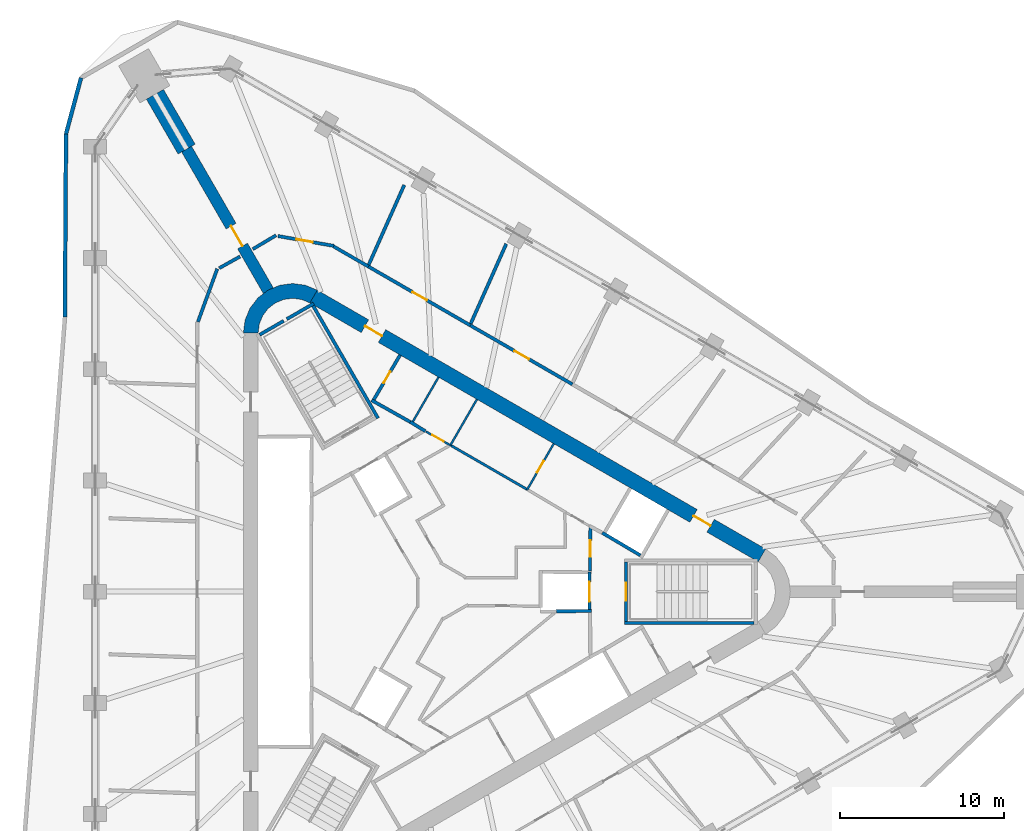
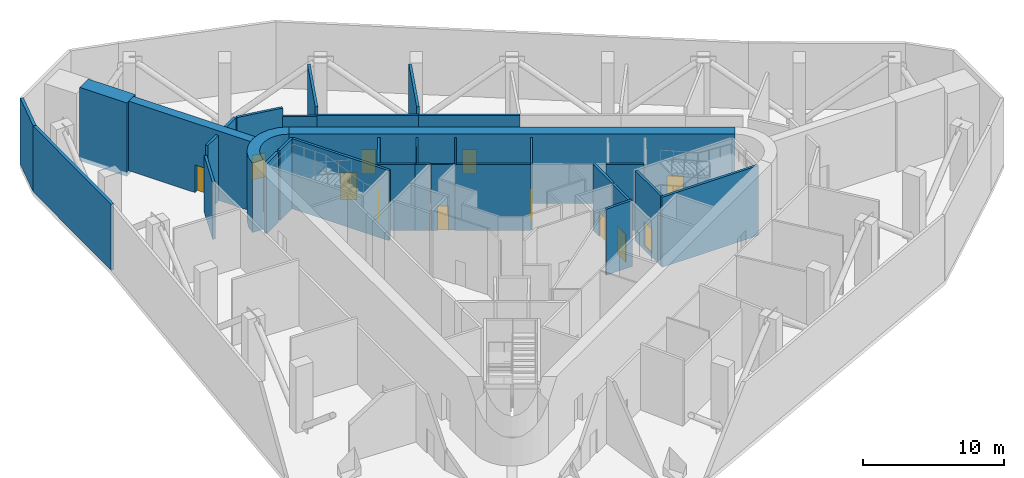
# One storey, part 6 of 12: 32 walls, 12 doors, 12 openings.
"""IFC4 building model written with IfcOpenShell, lengths in metres."""

from ifc_helpers import new_model, si_unit, direction, frame, frame_2d, origin, place, context, subcontext, project, spatial, polyline, rectangle, outline, extrude, material, layer, layer_set, type_object, element, fill, save


model = new_model("IFC4")

# Units and contexts
model_context = context("Model", 3, precision=1e-05, world=origin(), true_north=direction((0.0, 1.0)))
body_context = subcontext(model_context, "Body", "Model", "MODEL_VIEW")
ifc_project = project(units=[si_unit("LENGTHUNIT", "METRE"), si_unit("AREAUNIT", "SQUARE_METRE"), si_unit("VOLUMEUNIT", "CUBIC_METRE"), si_unit("PLANEANGLEUNIT", "RADIAN"), si_unit("MASSUNIT", "GRAM", prefix="KILO")], contexts=[model_context])

# Site, building, storey
site_placement = place(None, origin())
site = spatial("IfcSite", under=ifc_project, at=site_placement, CompositionType="ELEMENT")
building_placement = place(site_placement, origin())
building = spatial("IfcBuilding", under=site, at=building_placement, Name="Tanit Gate Tower", CompositionType="ELEMENT")
storey_placement = place(building_placement, frame((0.0, 0.0, 292.699951171875)))
storey = spatial("IfcBuildingStorey", under=building, at=storey_placement, Name="L65", CompositionType="ELEMENT", Elevation=292.699951171875)

# Wall, opening, door
ifc_material_1 = material(Name="Concrete C50/60", Category="concrete")
ifc_layer_1 = layer(ifc_material_1, 0.699951171875)
ifc_layer_set_1 = layer_set([ifc_layer_1], Name="BUTTRESS FIN 700 C50/60")
wall_type_1 = type_object("IfcWallType", Name="BUTTRESS FIN 700 C50/60", PredefinedType="SHEAR", material=ifc_layer_set_1)
wall_1_placement = place(storey_placement, frame((-10.574951171875, 18.31640625, 0.0), z_axis=(0.0, 0.0, 1.0), x_axis=(-0.500007350791, 0.866021159762, 0.0)))
wall_1 = element("IfcWall", 1, at=wall_1_placement, inside=storey, type_object=wall_type_1, Name="BUTTRESS FIN", PredefinedType="SHEAR", context=body_context, shape_type="SweptSolid", body=[
    extrude(rectangle(XDim=9.964599609375, YDim=0.699951171875, at=frame_2d((4.982421875, 0.0))), origin(), (0.0, 0.0, 1.0), 6.0),
])
opening_1_placement = place(wall_1_placement, frame((3.14990234375, 0.0, 0.0)))
opening_1 = element("IfcOpeningElement", 2, at=opening_1_placement, cuts=wall_1, Name="Opening P14-65-F-NW-1", PredefinedType="OPENING", context=body_context, shape_type="SweptSolid", body=[
    extrude(rectangle(XDim=1.39990234375, YDim=2.39990234375, at=frame_2d((0.699951171875, 1.199951171875))), frame((0.0, 0.35986328125, 0.0), z_axis=(0.0, -1.0, 0.0), x_axis=(1.0, 0.0, 0.0)), (0.0, 0.0, 1.0), 0.719970703125),
])
ifc_material_2 = material(Name="Timber door leaf", Category="wood")
door_type_1 = type_object("IfcDoorType", Name="INT-DOOR-FIN-PAIR-1400", OperationType="NOTDEFINED", PredefinedType="NOTDEFINED", material=ifc_material_2)
door_1_placement = place(opening_1_placement, origin())
door_1 = element("IfcDoor", 3, at=door_1_placement, inside=storey, type_object=door_type_1, Name="Door P14-65-F-NW-1", OperationType="DOUBLE_DOOR_SINGLE_SWING", OverallHeight=2.39990234375, OverallWidth=1.39990234375, PredefinedType="NOTDEFINED", context=body_context, shape_type="SweptSolid", body=[
    extrude(rectangle(XDim=1.39990234375, YDim=2.39990234375, at=frame_2d((0.699951171875, 1.199951171875))), frame((0.0, 0.02490234375, 0.0), z_axis=(0.0, -1.0, 0.0), x_axis=(1.0, 0.0, 0.0)), (0.0, 0.0, 1.0), 0.050048828125),
])
fill(opening_1, door_1)

# Wall, openings, doors
ifc_material_3 = material(Name="Concrete C50/60", Category="concrete")
ifc_layer_2 = layer(ifc_material_3, 0.89990234375)
ifc_layer_set_2 = layer_set([ifc_layer_2], Name="CORE WALL 900 C50/60")
wall_type_2 = type_object("IfcWallType", Name="CORE WALL 900 C50/60", PredefinedType="SHEAR", material=ifc_layer_set_2)
wall_2_placement = place(storey_placement, frame((19.47509765625, 2.20849609375, 0.0), z_axis=(0.0, 0.0, 1.0), x_axis=(-0.866028369851, 0.499994862586, 0.0)))
wall_2 = element("IfcWall", 4, at=wall_2_placement, inside=storey, type_object=wall_type_2, Name="CORE WALL", PredefinedType="SHEAR", context=body_context, shape_type="SweptSolid", body=[
    extrude(rectangle(XDim=31.523193359375, YDim=0.89990234375, at=frame_2d((15.76171875, 0.0))), origin(), (0.0, 0.0, 1.0), 6.0),
])
opening_2_placement = place(wall_2_placement, frame((3.611572265625, 0.0, 0.0)))
opening_2 = element("IfcOpeningElement", 5, at=opening_2_placement, cuts=wall_2, Name="Opening F12-65-FL1", PredefinedType="OPENING", context=body_context, shape_type="SweptSolid", body=[
    extrude(rectangle(XDim=1.199951171875, YDim=2.39990234375, at=frame_2d((0.60009765625, 1.199951171875))), frame((0.0, 0.4599609375, 0.0), z_axis=(0.0, -1.0, 0.0), x_axis=(1.0, 0.0, 0.0)), (0.0, 0.0, 1.0), 0.919921875),
])
opening_3_placement = place(wall_2_placement, frame((26.711669921875, 0.0, 0.0)))
opening_3 = element("IfcOpeningElement", 6, at=opening_3_placement, cuts=wall_2, Name="Opening F12-65-S2", PredefinedType="OPENING", context=body_context, shape_type="SweptSolid", body=[
    extrude(rectangle(XDim=1.199951171875, YDim=2.39990234375, at=frame_2d((0.60009765625, 1.199951171875))), frame((0.0, 0.4599609375, 0.0), z_axis=(0.0, -1.0, 0.0), x_axis=(1.0, 0.0, 0.0)), (0.0, 0.0, 1.0), 0.919921875),
])
ifc_material_4 = material(Name="Fire-rated steel door leaf", Category="steel")
door_type_2 = type_object("IfcDoorType", Name="INT-DOOR-FIRE-LOBBY-1200", OperationType="NOTDEFINED", PredefinedType="USERDEFINED", material=ifc_material_4)
door_2_placement = place(opening_2_placement, origin())
door_2 = element("IfcDoor", 7, at=door_2_placement, inside=storey, type_object=door_type_2, Name="Door F12-65-FL1", ObjectType="FIRE DOOR", OperationType="SINGLE_SWING_RIGHT", OverallHeight=2.39990234375, OverallWidth=1.199951171875, PredefinedType="USERDEFINED", context=body_context, shape_type="SweptSolid", body=[
    extrude(rectangle(XDim=1.199951171875, YDim=2.39990234375, at=frame_2d((0.60009765625, 1.199951171875))), frame((0.0, 0.02490234375, 0.0), z_axis=(0.0, -1.0, 0.0), x_axis=(1.0, 0.0, 0.0)), (0.0, 0.0, 1.0), 0.050048828125),
])
fill(opening_2, door_2)
door_3_placement = place(opening_3_placement, origin())
door_3 = element("IfcDoor", 8, at=door_3_placement, inside=storey, type_object=door_type_2, Name="Door F12-65-S2", ObjectType="FIRE DOOR", OperationType="SINGLE_SWING_LEFT", OverallHeight=2.39990234375, OverallWidth=1.199951171875, PredefinedType="USERDEFINED", context=body_context, shape_type="SweptSolid", body=[
    extrude(rectangle(XDim=1.199951171875, YDim=2.39990234375, at=frame_2d((0.60009765625, 1.199951171875))), frame((0.0, 0.02490234375, 0.0), z_axis=(0.0, -1.0, 0.0), x_axis=(1.0, 0.0, 0.0)), (0.0, 0.0, 1.0), 0.050048828125),
])
fill(opening_3, door_3)

# Walls
wall_3_placement = place(storey_placement, origin())
element("IfcWall", 9, at=wall_3_placement, inside=storey, type_object=wall_type_2, Name="CORE WALL CORNER", PredefinedType="SHEAR", context=body_context, shape_type="SweptSolid", body=[
    extrude(outline(polyline([(-7.60009765625, 18.359619140625), (-8.323486328125, 18.659423828125), (-9.10009765625, 18.76171875), (-9.87646484375, 18.659423828125), (-10.60009765625, 18.359619140625), (-11.22119140625, 17.883056640625), (-11.697998046875, 17.26171875), (-11.997802734375, 16.5380859375), (-12.10009765625, 15.76171875), (-11.199951171875, 15.76171875), (-11.12841796875, 16.30517578125), (-10.918701171875, 16.811767578125), (-10.5849609375, 17.24658203125), (-10.14990234375, 17.580322265625), (-9.6435546875, 17.7900390625), (-9.10009765625, 17.86181640625), (-8.556396484375, 17.7900390625), (-8.050048828125, 17.580322265625), (-7.60009765625, 18.359619140625)])), origin(), (0.0, 0.0, 1.0), 6.0),
])
ifc_material_5 = material(Name="Concrete C30/37 with bronze anodised aluminium cladding", Category="concrete")
ifc_layer_3 = layer(ifc_material_5, 0.239990234375)
ifc_layer_set_3 = layer_set([ifc_layer_3], Name="Facade wall bronze clad 240")
wall_type_3 = type_object("IfcWallType", Name="Facade wall bronze clad 240", PredefinedType="SOLIDWALL", material=ifc_layer_set_3)
wall_4_placement = place(storey_placement, frame((-21.986328125, 31.283203125, 0.0), z_axis=(0.0, 0.0, 1.0), x_axis=(-0.258844219627, -0.965919080444, 0.0)))
element("IfcWall", 10, at=wall_4_placement, inside=storey, type_object=wall_type_3, Name="Bronze-clad facade wall L65 NW.arc3", PredefinedType="SOLIDWALL", context=body_context, shape_type="SweptSolid", body=[
    extrude(rectangle(XDim=3.5361328125, YDim=0.239990234375, at=frame_2d((1.76806640625, 0.0))), origin(), (0.0, 0.0, 1.0), 5.699951171875),
])
wall_5_placement = place(storey_placement, frame((-22.901611328125, 27.86767578125, 0.0), z_axis=(0.0, 0.0, 1.0), x_axis=(-0.006375996075, -0.99997967313, 0.0)))
element("IfcWall", 11, at=wall_5_placement, inside=storey, type_object=wall_type_3, Name="Bronze-clad facade wall L65 W1", PredefinedType="SOLIDWALL", context=body_context, shape_type="SweptSolid", body=[
    extrude(rectangle(XDim=11.142578125, YDim=0.239990234375, at=frame_2d((5.5712890625, 0.0))), origin(), (0.0, 0.0, 1.0), 5.699951171875),
])
ifc_material_6 = material(Name="Fire-rated gypsum board partition")
ifc_layer_4 = layer(ifc_material_6, 0.199951171875)
ifc_layer_set_4 = layer_set([ifc_layer_4], Name="INT-WALL-COMPARTMENT")
wall_type_4 = type_object("IfcWallType", Name="INT-WALL-COMPARTMENT", PredefinedType="PARTITIONING", material=ifc_layer_set_4)
wall_6_placement = place(storey_placement, frame((-1.940673828125, 10.338623046875, 0.0), z_axis=(0.0, 0.0, 1.0), x_axis=(0.850216889117, -0.526432561171, 0.0)))
element("IfcWall", 12, at=wall_6_placement, inside=storey, type_object=wall_type_4, Name="Wall Compartment W055", PredefinedType="PARTITIONING", context=body_context, shape_type="SweptSolid", body=[
    extrude(rectangle(XDim=1.078369140625, YDim=0.199951171875, at=frame_2d((0.5390625, 0.0))), origin(), (0.0, 0.0, 1.0), 5.699951171875),
])
wall_7_placement = place(storey_placement, frame((-4.296142578125, 11.658935546875, 0.0), z_axis=(0.0, 0.0, 1.0), x_axis=(0.871534483978, -0.490334215854, 0.0)))
element("IfcWall", 13, at=wall_7_placement, inside=storey, type_object=wall_type_4, Name="Wall Compartment W057", PredefinedType="PARTITIONING", context=body_context, shape_type="SweptSolid", body=[
    extrude(rectangle(XDim=2.7001953125, YDim=0.199951171875, at=frame_2d((1.35009765625, 0.0))), origin(), (0.0, 0.0, 1.0), 5.699951171875),
])

# Wall, opening, door
wall_8_placement = place(storey_placement, frame((-2.557861328125, 14.409423828125, 0.0), z_axis=(0.0, 0.0, 1.0), x_axis=(-0.508018930956, -0.861345903683, 0.0)))
wall_8 = element("IfcWall", 14, at=wall_8_placement, inside=storey, type_object=wall_type_4, Name="Wall Compartment W058", PredefinedType="PARTITIONING", context=body_context, shape_type="SweptSolid", body=[
    extrude(rectangle(XDim=3.150146484375, YDim=0.199951171875, at=frame_2d((1.5751953125, 0.0))), origin(), (0.0, 0.0, 1.0), 5.699951171875),
])
opening_4_placement = place(wall_8_placement, frame((1.175048828125, 0.0, 0.0)))
opening_4 = element("IfcOpeningElement", 15, at=opening_4_placement, cuts=wall_8, Name="Opening R08-65-17", PredefinedType="OPENING", context=body_context, shape_type="SweptSolid", body=[
    extrude(rectangle(XDim=0.800048828125, YDim=2.10009765625, at=frame_2d((0.39990234375, 1.050048828125))), frame((0.0, 0.10986328125, 0.0), z_axis=(0.0, -1.0, 0.0), x_axis=(1.0, 0.0, 0.0)), (0.0, 0.0, 1.0), 0.219970703125),
])
ifc_material_7 = material(Name="Timber door leaf", Category="wood")
door_type_3 = type_object("IfcDoorType", Name="INT-DOOR-RISER-800", OperationType="NOTDEFINED", PredefinedType="USERDEFINED", material=ifc_material_7)
door_4_placement = place(opening_4_placement, origin())
door_4 = element("IfcDoor", 16, at=door_4_placement, inside=storey, type_object=door_type_3, Name="Door R08-65-17", ObjectType="FIRE DOOR", OperationType="SINGLE_SWING_LEFT", OverallHeight=2.10009765625, OverallWidth=0.800048828125, PredefinedType="USERDEFINED", context=body_context, shape_type="SweptSolid", body=[
    extrude(rectangle(XDim=0.800048828125, YDim=2.10009765625, at=frame_2d((0.39990234375, 1.050048828125))), frame((0.0, 0.02490234375, 0.0), z_axis=(0.0, -1.0, 0.0), x_axis=(1.0, 0.0, 0.0)), (0.0, 0.0, 1.0), 0.050048828125),
])
fill(opening_4, door_4)

wall_9_placement = place(storey_placement, frame((9.0009765625, 1.27001953125, 0.0), z_axis=(0.0, 0.0, 1.0), x_axis=(0.010723968736, 0.999942496594, 0.0)))
wall_9 = element("IfcWall", 17, at=wall_9_placement, inside=storey, type_object=wall_type_4, Name="Wall Compartment W068", PredefinedType="PARTITIONING", context=body_context, shape_type="SweptSolid", body=[
    extrude(rectangle(XDim=2.709228515625, YDim=0.199951171875, at=frame_2d((1.3544921875, 0.0))), origin(), (0.0, 0.0, 1.0), 5.699951171875),
])
opening_5_placement = place(wall_9_placement, frame((0.848388671875, 0.0, 0.0)))
opening_5 = element("IfcOpeningElement", 18, at=opening_5_placement, cuts=wall_9, Name="Opening F10-65-02", PredefinedType="OPENING", context=body_context, shape_type="SweptSolid", body=[
    extrude(rectangle(XDim=1.0, YDim=2.10009765625, at=frame_2d((0.5, 1.050048828125))), frame((0.0, 0.10986328125, 0.0), z_axis=(0.0, -1.0, 0.0), x_axis=(1.0, 0.0, 0.0)), (0.0, 0.0, 1.0), 0.219970703125),
])
ifc_material_8 = material(Name="Fire-rated steel door leaf", Category="steel")
door_type_4 = type_object("IfcDoorType", Name="INT-DOOR-FIRE-1000", OperationType="NOTDEFINED", PredefinedType="USERDEFINED", material=ifc_material_8)
door_5_placement = place(opening_5_placement, origin())
door_5 = element("IfcDoor", 19, at=door_5_placement, inside=storey, type_object=door_type_4, Name="Door F10-65-02", ObjectType="FIRE DOOR", OperationType="SINGLE_SWING_LEFT", OverallHeight=2.10009765625, OverallWidth=1.0, PredefinedType="USERDEFINED", context=body_context, shape_type="SweptSolid", body=[
    extrude(rectangle(XDim=1.0, YDim=2.10009765625, at=frame_2d((0.5, 1.050048828125))), frame((0.0, 0.02490234375, 0.0), z_axis=(0.0, -1.0, 0.0), x_axis=(1.0, 0.0, 0.0)), (0.0, 0.0, 1.0), 0.050048828125),
])
fill(opening_5, door_5)

# Walls
wall_10_placement = place(storey_placement, frame((-13.690185546875, 19.658935546875, 0.0), z_axis=(0.0, 0.0, 1.0), x_axis=(-0.341976858915, -0.939708373894, 0.0)))
element("IfcWall", 20, at=wall_10_placement, inside=storey, type_object=wall_type_4, Name="Wall Compartment W093", PredefinedType="PARTITIONING", context=body_context, shape_type="SweptSolid", body=[
    extrude(rectangle(XDim=3.4375, YDim=0.199951171875, at=frame_2d((1.71875, 0.0))), origin(), (0.0, 0.0, 1.0), 4.880126953125),
])
wall_11_placement = place(storey_placement, frame((-12.301025390625, 20.40625, 0.0), z_axis=(0.0, 0.0, 1.0), x_axis=(-0.873235961829, -0.487297604108, 0.0)))
element("IfcWall", 21, at=wall_11_placement, inside=storey, type_object=wall_type_4, Name="Wall Compartment W094", PredefinedType="PARTITIONING", context=body_context, shape_type="SweptSolid", body=[
    extrude(rectangle(XDim=1.452392578125, YDim=0.199951171875, at=frame_2d((0.72607421875, 0.0))), origin(), (0.0, 0.0, 1.0), 5.699951171875),
])

# Wall, opening, door
wall_12_placement = place(storey_placement, frame((7.933349609375, 12.624755859375, 0.0), z_axis=(0.0, 0.0, 1.0), x_axis=(-0.866022320763, 0.500005339912, 0.0)))
wall_12 = element("IfcWall", 22, at=wall_12_placement, inside=storey, type_object=wall_type_4, Name="Wall Compartment W110", PredefinedType="PARTITIONING", context=body_context, shape_type="SweptSolid", body=[
    extrude(rectangle(XDim=7.171875, YDim=0.199951171875, at=frame_2d((3.5859375, 0.0))), origin(), (0.0, 0.0, 1.0), 5.070068359375),
])
opening_6_placement = place(wall_12_placement, frame((3.05859375, 0.0, 0.0)))
opening_6 = element("IfcOpeningElement", 23, at=opening_6_placement, cuts=wall_12, Name="Opening F10-65-30", PredefinedType="OPENING", context=body_context, shape_type="SweptSolid", body=[
    extrude(rectangle(XDim=1.0, YDim=2.10009765625, at=frame_2d((0.5, 1.050048828125))), frame((0.0, 0.10986328125, 0.0), z_axis=(0.0, -1.0, 0.0), x_axis=(1.0, 0.0, 0.0)), (0.0, 0.0, 1.0), 0.219970703125),
])
door_6_placement = place(opening_6_placement, origin())
door_6 = element("IfcDoor", 24, at=door_6_placement, inside=storey, type_object=door_type_4, Name="Door F10-65-30", ObjectType="FIRE DOOR", OperationType="SINGLE_SWING_RIGHT", OverallHeight=2.10009765625, OverallWidth=1.0, PredefinedType="USERDEFINED", context=body_context, shape_type="SweptSolid", body=[
    extrude(rectangle(XDim=1.0, YDim=2.10009765625, at=frame_2d((0.5, 1.050048828125))), frame((0.0, 0.02490234375, 0.0), z_axis=(0.0, -1.0, 0.0), x_axis=(1.0, 0.0, 0.0)), (0.0, 0.0, 1.0), 0.050048828125),
])
fill(opening_6, door_6)

wall_13_placement = place(storey_placement, frame((1.722412109375, 16.210693359375, 0.0), z_axis=(0.0, 0.0, 1.0), x_axis=(-0.866030831008, 0.499990599656, 0.0)))
wall_13 = element("IfcWall", 25, at=wall_13_placement, inside=storey, type_object=wall_type_4, Name="Wall Compartment W111", PredefinedType="PARTITIONING", context=body_context, shape_type="SweptSolid", body=[
    extrude(rectangle(XDim=7.172119140625, YDim=0.199951171875, at=frame_2d((3.5859375, 0.0))), origin(), (0.0, 0.0, 1.0), 5.070068359375),
])
opening_7_placement = place(wall_13_placement, frame((3.05859375, 0.0, 0.0)))
opening_7 = element("IfcOpeningElement", 26, at=opening_7_placement, cuts=wall_13, Name="Opening F10-65-31", PredefinedType="OPENING", context=body_context, shape_type="SweptSolid", body=[
    extrude(rectangle(XDim=1.0, YDim=2.10009765625, at=frame_2d((0.5, 1.050048828125))), frame((0.0, 0.10986328125, 0.0), z_axis=(0.0, -1.0, 0.0), x_axis=(1.0, 0.0, 0.0)), (0.0, 0.0, 1.0), 0.219970703125),
])
door_7_placement = place(opening_7_placement, origin())
door_7 = element("IfcDoor", 27, at=door_7_placement, inside=storey, type_object=door_type_4, Name="Door F10-65-31", ObjectType="FIRE DOOR", OperationType="SINGLE_SWING_LEFT", OverallHeight=2.10009765625, OverallWidth=1.0, PredefinedType="USERDEFINED", context=body_context, shape_type="SweptSolid", body=[
    extrude(rectangle(XDim=1.0, YDim=2.10009765625, at=frame_2d((0.5, 1.050048828125))), frame((0.0, 0.02490234375, 0.0), z_axis=(0.0, -1.0, 0.0), x_axis=(1.0, 0.0, 0.0)), (0.0, 0.0, 1.0), 0.050048828125),
])
fill(opening_7, door_7)

# Walls
wall_14_placement = place(storey_placement, frame((-4.48876953125, 19.796630859375, 0.0), z_axis=(0.0, 0.0, 1.0), x_axis=(-0.8660013066, 0.500041735226, 0.0)))
element("IfcWall", 28, at=wall_14_placement, inside=storey, type_object=wall_type_4, Name="Wall Compartment W114", PredefinedType="PARTITIONING", context=body_context, shape_type="SweptSolid", body=[
    extrude(rectangle(XDim=2.448974609375, YDim=0.199951171875, at=frame_2d((1.224609375, 0.0))), origin(), (0.0, 0.0, 1.0), 4.97998046875),
])
wall_15_placement = place(storey_placement, frame((-10.111328125, 21.697998046875, 0.0), z_axis=(0.0, 0.0, 1.0), x_axis=(-0.858684097611, -0.512505239495, 0.0)))
element("IfcWall", 29, at=wall_15_placement, inside=storey, type_object=wall_type_4, Name="Wall Compartment W112", PredefinedType="PARTITIONING", context=body_context, shape_type="SweptSolid", body=[
    extrude(rectangle(XDim=1.642578125, YDim=0.199951171875, at=frame_2d((0.8212890625, 0.0))), origin(), (0.0, 0.0, 1.0), 5.699951171875),
])

# Wall, opening, door
wall_16_placement = place(storey_placement, frame((-6.597900390625, 21.0537109375, 0.0), z_axis=(0.0, 0.0, 1.0), x_axis=(-0.984805653599, 0.173660083612, 0.0)))
wall_16 = element("IfcWall", 30, at=wall_16_placement, inside=storey, type_object=wall_type_4, Name="Wall Compartment W113", PredefinedType="PARTITIONING", context=body_context, shape_type="SweptSolid", body=[
    extrude(rectangle(XDim=3.447265625, YDim=0.199951171875, at=frame_2d((1.7236328125, 0.0))), origin(), (0.0, 0.0, 1.0), 5.699951171875),
])
opening_8_placement = place(wall_16_placement, frame((1.300048828125, 0.0, 0.0)))
opening_8 = element("IfcOpeningElement", 31, at=opening_8_placement, cuts=wall_16, Name="Opening F10-65-32", PredefinedType="OPENING", context=body_context, shape_type="SweptSolid", body=[
    extrude(rectangle(XDim=1.0, YDim=2.10009765625, at=frame_2d((0.5, 1.050048828125))), frame((0.0, 0.10986328125, 0.0), z_axis=(0.0, -1.0, 0.0), x_axis=(1.0, 0.0, 0.0)), (0.0, 0.0, 1.0), 0.219970703125),
])
door_8_placement = place(opening_8_placement, origin())
door_8 = element("IfcDoor", 32, at=door_8_placement, inside=storey, type_object=door_type_4, Name="Door F10-65-32", ObjectType="FIRE DOOR", OperationType="SINGLE_SWING_RIGHT", OverallHeight=2.10009765625, OverallWidth=1.0, PredefinedType="USERDEFINED", context=body_context, shape_type="SweptSolid", body=[
    extrude(rectangle(XDim=1.0, YDim=2.10009765625, at=frame_2d((0.5, 1.050048828125))), frame((0.0, 0.02490234375, 0.0), z_axis=(0.0, -1.0, 0.0), x_axis=(1.0, 0.0, 0.0)), (0.0, 0.0, 1.0), 0.050048828125),
])
fill(opening_8, door_8)

# Walls
wall_17_placement = place(storey_placement, frame((1.7412109375, 16.315185546875, 0.0), z_axis=(0.0, 0.0, 1.0), x_axis=(0.406734425958, 0.913546444764, 0.0)))
element("IfcWall", 33, at=wall_17_placement, inside=storey, type_object=wall_type_4, Name="Wall Compartment W119", PredefinedType="PARTITIONING", context=body_context, shape_type="SweptSolid", body=[
    extrude(rectangle(XDim=5.320556640625, YDim=0.199951171875, at=frame_2d((2.66015625, 0.0))), origin(), (0.0, 0.0, 1.0), 5.699951171875),
])
wall_18_placement = place(storey_placement, frame((-4.469970703125, 19.9013671875, 0.0), z_axis=(0.0, 0.0, 1.0), x_axis=(0.406751476537, 0.913538853216, 0.0)))
element("IfcWall", 34, at=wall_18_placement, inside=storey, type_object=wall_type_4, Name="Wall Compartment W120", PredefinedType="PARTITIONING", context=body_context, shape_type="SweptSolid", body=[
    extrude(rectangle(XDim=5.3203125, YDim=0.199951171875, at=frame_2d((2.66015625, 0.0))), origin(), (0.0, 0.0, 1.0), 5.699951171875),
])

# Wall, opening, door
ifc_material_9 = material(Name="Gypsum board partition")
ifc_layer_5 = layer(ifc_material_9, 0.1201171875)
ifc_layer_set_5 = layer_set([ifc_layer_5], Name="INT-WALL-PARTITION")
wall_type_5 = type_object("IfcWallType", Name="INT-WALL-PARTITION", PredefinedType="PARTITIONING", material=ifc_layer_set_5)
wall_19_placement = place(storey_placement, frame((6.795166015625, 9.009521484375, 0.0), z_axis=(0.0, 0.0, 1.0), x_axis=(-0.499984717929, -0.866034226713, 0.0)))
wall_19 = element("IfcWall", 35, at=wall_19_placement, inside=storey, type_object=wall_type_5, Name="Wall Partition W048", PredefinedType="PARTITIONING", context=body_context, shape_type="SweptSolid", body=[
    extrude(rectangle(XDim=3.25, YDim=0.1201171875, at=frame_2d((1.625, 0.0))), origin(), (0.0, 0.0, 1.0), 5.699951171875),
])
opening_9_placement = place(wall_19_placement, frame((1.22509765625, 0.0, 0.0)))
opening_9 = element("IfcOpeningElement", 36, at=opening_9_placement, cuts=wall_19, Name="Opening R08-65-15", PredefinedType="OPENING", context=body_context, shape_type="SweptSolid", body=[
    extrude(rectangle(XDim=0.800048828125, YDim=2.10009765625, at=frame_2d((0.39990234375, 1.050048828125))), frame((0.0, 0.070068359375, 0.0), z_axis=(0.0, -1.0, 0.0), x_axis=(1.0, 0.0, 0.0)), (0.0, 0.0, 1.0), 0.14013671875),
])
door_9_placement = place(opening_9_placement, origin())
door_9 = element("IfcDoor", 37, at=door_9_placement, inside=storey, type_object=door_type_3, Name="Door R08-65-15", ObjectType="FIRE DOOR", OperationType="SINGLE_SWING_LEFT", OverallHeight=2.10009765625, OverallWidth=0.800048828125, PredefinedType="USERDEFINED", context=body_context, shape_type="SweptSolid", body=[
    extrude(rectangle(XDim=0.800048828125, YDim=2.10009765625, at=frame_2d((0.39990234375, 1.050048828125))), frame((0.0, 0.02490234375, 0.0), z_axis=(0.0, -1.0, 0.0), x_axis=(1.0, 0.0, 0.0)), (0.0, 0.0, 1.0), 0.050048828125),
])
fill(opening_9, door_9)

# Walls
for number, where, z_axis, x_axis, name in (
    (38, (2.11865234375, 11.70947265625, 0.0), (0.0, 0.0, 1.0), (-0.500017246033, -0.866015446554, 0.0), "Wall Partition W052"),
    (39, (-0.2197265625, 13.0595703125, 0.0), (0.0, 0.0, 1.0), (-0.499984717929, -0.866034226713, 0.0), "Wall Partition W054"),
):
    element("IfcWall", number, at=place(storey_placement, frame(where, z_axis=z_axis, x_axis=x_axis)), inside=storey, type_object=wall_type_5, Name=name, PredefinedType="PARTITIONING", context=body_context, shape_type="SweptSolid", body=[
        extrude(rectangle(XDim=3.25, YDim=0.1201171875, at=frame_2d((1.625, 0.0))), origin(), (0.0, 0.0, 1.0), 5.699951171875),
    ])

# Wall, opening, door
wall_20_placement = place(storey_placement, frame((-0.979248046875, 9.746826171875, 0.0), z_axis=(0.0, 0.0, 1.0), x_axis=(0.871957532922, -0.489581515972, 0.0)))
wall_20 = element("IfcWall", 40, at=wall_20_placement, inside=storey, type_object=wall_type_5, Name="Wall Partition W056", PredefinedType="PARTITIONING", context=body_context, shape_type="SweptSolid", body=[
    extrude(rectangle(XDim=1.671630859375, YDim=0.1201171875, at=frame_2d((0.8359375, 0.0))), origin(), (0.0, 0.0, 1.0), 5.699951171875),
])
opening_10_placement = place(wall_20_placement, frame((0.435791015625, 0.0, 0.0)))
opening_10 = element("IfcOpeningElement", 41, at=opening_10_placement, cuts=wall_20, Name="Opening R08-65-16", PredefinedType="OPENING", context=body_context, shape_type="SweptSolid", body=[
    extrude(rectangle(XDim=0.800048828125, YDim=2.10009765625, at=frame_2d((0.39990234375, 1.050048828125))), frame((0.0, 0.070068359375, 0.0), z_axis=(0.0, -1.0, 0.0), x_axis=(1.0, 0.0, 0.0)), (0.0, 0.0, 1.0), 0.14013671875),
])
door_10_placement = place(opening_10_placement, origin())
door_10 = element("IfcDoor", 42, at=door_10_placement, inside=storey, type_object=door_type_3, Name="Door R08-65-16", ObjectType="FIRE DOOR", OperationType="SINGLE_SWING_RIGHT", OverallHeight=2.10009765625, OverallWidth=0.800048828125, PredefinedType="USERDEFINED", context=body_context, shape_type="SweptSolid", body=[
    extrude(rectangle(XDim=0.800048828125, YDim=2.10009765625, at=frame_2d((0.39990234375, 1.050048828125))), frame((0.0, 0.02490234375, 0.0), z_axis=(0.0, -1.0, 0.0), x_axis=(1.0, 0.0, 0.0)), (0.0, 0.0, 1.0), 0.050048828125),
])
fill(opening_10, door_10)

# Walls
ifc_material_10 = material(Name="Fire-rated gypsum board partition")
ifc_layer_6 = layer(ifc_material_10, 0.14990234375)
ifc_layer_set_6 = layer_set([ifc_layer_6], Name="INT-WALL-RISER")
wall_type_6 = type_object("IfcWallType", Name="INT-WALL-RISER", PredefinedType="PLUMBINGWALL", material=ifc_layer_set_6)
wall_21_placement = place(storey_placement, frame((5.1591796875, 6.23583984375, 0.0), z_axis=(0.0, 0.0, 1.0), x_axis=(-0.866028230842, 0.499995103361, 0.0)))
element("IfcWall", 43, at=wall_21_placement, inside=storey, type_object=wall_type_6, Name="Wall Riser W053", PredefinedType="PLUMBINGWALL", context=body_context, shape_type="SweptSolid", body=[
    extrude(rectangle(XDim=5.39990234375, YDim=0.14990234375, at=frame_2d((2.699951171875, 0.0))), origin(), (0.0, 0.0, 1.0), 5.699951171875),
])
ifc_material_11 = material(Name="Gypsum shaft wall system")
ifc_layer_7 = layer(ifc_material_11, 0.199951171875)
ifc_layer_set_7 = layer_set([ifc_layer_7], Name="INT-WALL-SHAFT")
wall_type_7 = type_object("IfcWallType", Name="INT-WALL-SHAFT", PredefinedType="PLUMBINGWALL", material=ifc_layer_set_7)
wall_22_placement = place(storey_placement, frame((12.072998046875, 2.2109375, 0.0), z_axis=(0.0, 0.0, 1.0), x_axis=(-0.860414880418, 0.509594185166, 0.0)))
element("IfcWall", 44, at=wall_22_placement, inside=storey, type_object=wall_type_7, Name="Wall Shaft W014", PredefinedType="PLUMBINGWALL", context=body_context, shape_type="SweptSolid", body=[
    extrude(rectangle(XDim=2.7001953125, YDim=0.199951171875, at=frame_2d((1.35009765625, 0.0))), origin(), (0.0, 0.0, 1.0), 5.699951171875),
])

# Wall, opening, door
wall_23_placement = place(storey_placement, frame((8.969970703125, 1.199951171875, 0.0), z_axis=(0.0, 0.0, 1.0), x_axis=(0.0, -1.0, 0.0)))
wall_23 = element("IfcWall", 45, at=wall_23_placement, inside=storey, type_object=wall_type_7, Name="Wall Shaft W025", PredefinedType="PLUMBINGWALL", context=body_context, shape_type="SweptSolid", body=[
    extrude(rectangle(XDim=2.39990234375, YDim=0.199951171875, at=frame_2d((1.199951171875, 0.0))), origin(), (0.0, 0.0, 1.0), 5.699951171875),
])
opening_11_placement = place(wall_23_placement, frame((0.60009765625, 0.0, 0.0)))
opening_11 = element("IfcOpeningElement", 46, at=opening_11_placement, cuts=wall_23, Name="Opening LDFL1-L65", PredefinedType="OPENING", context=body_context, shape_type="SweptSolid", body=[
    extrude(rectangle(XDim=1.199951171875, YDim=2.39990234375, at=frame_2d((0.60009765625, 1.199951171875))), frame((0.0, 0.10986328125, 0.0), z_axis=(0.0, -1.0, 0.0), x_axis=(1.0, 0.0, 0.0)), (0.0, 0.0, 1.0), 0.219970703125),
])
ifc_material_12 = material(Name="Stainless steel sliding door leaf", Category="steel")
door_type_5 = type_object("IfcDoorType", Name="INT-DOOR-LANDING-1200", OperationType="NOTDEFINED", PredefinedType="USERDEFINED", material=ifc_material_12)
door_11_placement = place(opening_11_placement, origin())
door_11 = element("IfcDoor", 47, at=door_11_placement, inside=storey, type_object=door_type_5, Name="Door LDFL1-L65", ObjectType="LANDING DOOR", OperationType="SLIDING_TO_LEFT", OverallHeight=2.39990234375, OverallWidth=1.199951171875, PredefinedType="USERDEFINED", context=body_context, shape_type="SweptSolid", body=[
    extrude(rectangle(XDim=1.199951171875, YDim=2.39990234375, at=frame_2d((0.60009765625, 1.199951171875))), frame((0.0, 0.02490234375, 0.0), z_axis=(0.0, -1.0, 0.0), x_axis=(1.0, 0.0, 0.0)), (0.0, 0.0, 1.0), 0.050048828125),
])
fill(opening_11, door_11)

# Walls
wall_24_placement = place(storey_placement, frame((9.10009765625, -1.16845703125, 0.0), z_axis=(0.0, 0.0, 1.0), x_axis=(-0.999896137355, -0.014412303875, 0.0)))
element("IfcWall", 48, at=wall_24_placement, inside=storey, type_object=wall_type_7, Name="Wall Shaft W027", PredefinedType="PLUMBINGWALL", context=body_context, shape_type="SweptSolid", body=[
    extrude(rectangle(XDim=2.1513671875, YDim=0.199951171875, at=frame_2d((1.07568359375, 0.0))), origin(), (0.0, 0.0, 1.0), 5.699951171875),
])
ifc_material_13 = material(Name="Concrete C40/50", Category="concrete")
ifc_layer_8 = layer(ifc_material_13, 0.199951171875)
ifc_layer_set_8 = layer_set([ifc_layer_8], Name="INT-WALL-STAIR")
wall_type_8 = type_object("IfcWallType", Name="INT-WALL-STAIR", PredefinedType="SHEAR", material=ifc_layer_set_8)
wall_25_placement = place(storey_placement, frame((11.10009765625, -1.89990234375, -0.349853515625), z_axis=(0.0, 0.0, 1.0), x_axis=(1.0, 0.0, 0.0)))
element("IfcWall", 49, at=wall_25_placement, inside=storey, type_object=wall_type_8, Name="Wall Stair W023", PredefinedType="SHEAR", context=body_context, shape_type="SweptSolid", body=[
    extrude(rectangle(XDim=7.89990234375, YDim=0.199951171875, at=frame_2d((3.949951171875, 0.0))), origin(), (0.0, 0.0, 1.0), 6.0498046875),
])

# Wall, opening, door
wall_26_placement = place(storey_placement, frame((11.199951171875, -1.800048828125, -0.349853515625), z_axis=(0.0, 0.0, 1.0), x_axis=(0.0, 1.0, 0.0)))
wall_26 = element("IfcWall", 50, at=wall_26_placement, inside=storey, type_object=wall_type_8, Name="Wall Stair W024", PredefinedType="SHEAR", context=body_context, shape_type="SweptSolid", body=[
    extrude(rectangle(XDim=3.60009765625, YDim=0.199951171875, at=frame_2d((1.800048828125, 0.0))), origin(), (0.0, 0.0, 1.0), 6.0498046875),
])
opening_12_placement = place(wall_26_placement, frame((1.25, 0.0, 0.35009765625)))
opening_12 = element("IfcOpeningElement", 51, at=opening_12_placement, cuts=wall_26, Name="Opening S11-65-01", PredefinedType="OPENING", context=body_context, shape_type="SweptSolid", body=[
    extrude(rectangle(XDim=1.10009765625, YDim=2.10009765625, at=frame_2d((0.550048828125, 1.050048828125))), frame((0.0, 0.10986328125, 0.0), z_axis=(0.0, -1.0, 0.0), x_axis=(1.0, 0.0, 0.0)), (0.0, 0.0, 1.0), 0.219970703125),
])
ifc_material_14 = material(Name="Timber door leaf", Category="wood")
door_type_6 = type_object("IfcDoorType", Name="INT-DOOR-STAIR-1100", OperationType="NOTDEFINED", PredefinedType="USERDEFINED", material=ifc_material_14)
door_12_placement = place(opening_12_placement, origin())
door_12 = element("IfcDoor", 52, at=door_12_placement, inside=storey, type_object=door_type_6, Name="Door S11-65-01", ObjectType="FIRE DOOR", OperationType="SINGLE_SWING_LEFT", OverallHeight=2.10009765625, OverallWidth=1.10009765625, PredefinedType="USERDEFINED", context=body_context, shape_type="SweptSolid", body=[
    extrude(rectangle(XDim=1.10009765625, YDim=2.10009765625, at=frame_2d((0.550048828125, 1.050048828125))), frame((0.0, 0.02490234375, 0.0), z_axis=(0.0, -1.0, 0.0), x_axis=(1.0, 0.0, 0.0)), (0.0, 0.0, 1.0), 0.050048828125),
])
fill(opening_12, door_12)

# Walls
wall_27_placement = place(storey_placement, frame((-7.81787109375, 17.541015625, -0.349853515625), z_axis=(0.0, 0.0, 1.0), x_axis=(-0.866088799389, -0.499890179513, 0.0)))
element("IfcWall", 53, at=wall_27_placement, inside=storey, type_object=wall_type_8, Name="Wall Stair W032", PredefinedType="SHEAR", context=body_context, shape_type="SweptSolid", body=[
    extrude(rectangle(XDim=1.89013671875, YDim=0.199951171875, at=frame_2d((0.945068359375, 0.0))), origin(), (0.0, 0.0, 1.0), 6.0498046875),
])
wall_28_placement = place(storey_placement, frame((-9.645263671875, 16.486083984375, -0.349853515625), z_axis=(0.0, 0.0, 1.0), x_axis=(-0.866038843867, -0.499976720371, 0.0)))
element("IfcWall", 54, at=wall_28_placement, inside=storey, type_object=wall_type_8, Name="Wall Stair W031", PredefinedType="SHEAR", context=body_context, shape_type="SweptSolid", body=[
    extrude(rectangle(XDim=1.68994140625, YDim=0.199951171875, at=frame_2d((0.844970703125, 0.0))), origin(), (0.0, 0.0, 1.0), 6.0498046875),
])
wall_29_placement = place(storey_placement, frame((-7.8544921875, 17.404541015625, -0.349853515625), z_axis=(0.0, 0.0, 1.0), x_axis=(0.499997992926, -0.866026562566, 0.0)))
element("IfcWall", 55, at=wall_29_placement, inside=storey, type_object=wall_type_8, Name="Wall Stair W033", PredefinedType="SHEAR", context=body_context, shape_type="SweptSolid", body=[
    extrude(rectangle(XDim=7.89990234375, YDim=0.199951171875, at=frame_2d((3.949951171875, 0.0))), origin(), (0.0, 0.0, 1.0), 6.0498046875),
])
ifc_material_15 = material(Name="Concrete C50/60", Category="concrete")
ifc_layer_9 = layer(ifc_material_15, 1.199951171875)
ifc_layer_set_9 = layer_set([ifc_layer_9], Name="OUTRIGGER WALL 1200 C50/60")
wall_type_9 = type_object("IfcWallType", Name="OUTRIGGER WALL 1200 C50/60", PredefinedType="SHEAR", material=ifc_layer_set_9)
wall_30_placement = place(storey_placement, frame((-15.557373046875, 26.946044921875, -0.349853515625), z_axis=(0.0, 0.0, 1.0), x_axis=(-0.499980071345, 0.866036909293, 0.0)))
element("IfcWall", 56, at=wall_30_placement, inside=storey, type_object=wall_type_9, Name="OUTRIGGER WALL", PredefinedType="SHEAR", context=body_context, shape_type="SweptSolid", body=[
    extrude(rectangle(XDim=3.855712890625, YDim=1.199951171875, at=frame_2d((1.927734375, 0.0))), origin(), (0.0, 0.0, 1.0), 6.349853515625),
])

save(model, "model.ifc")
